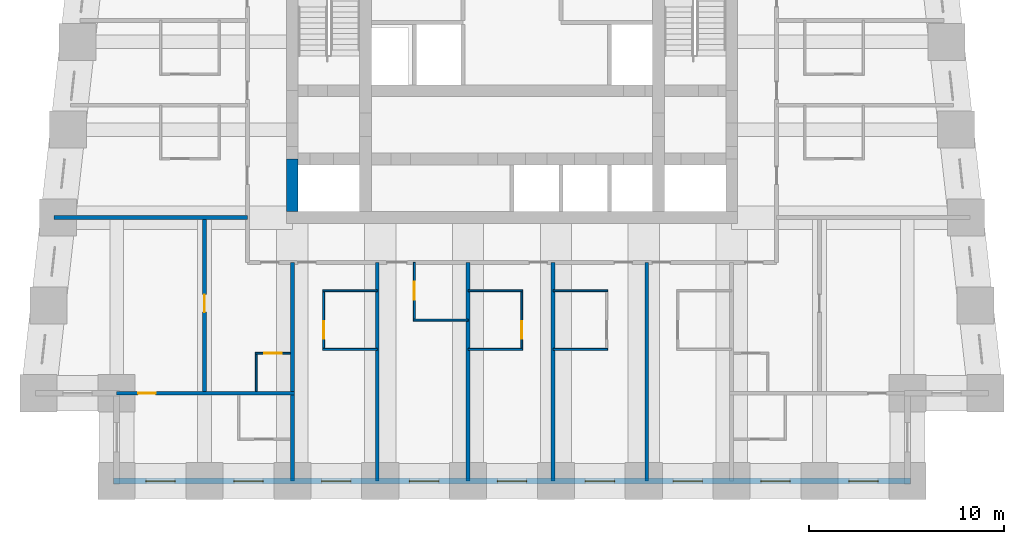
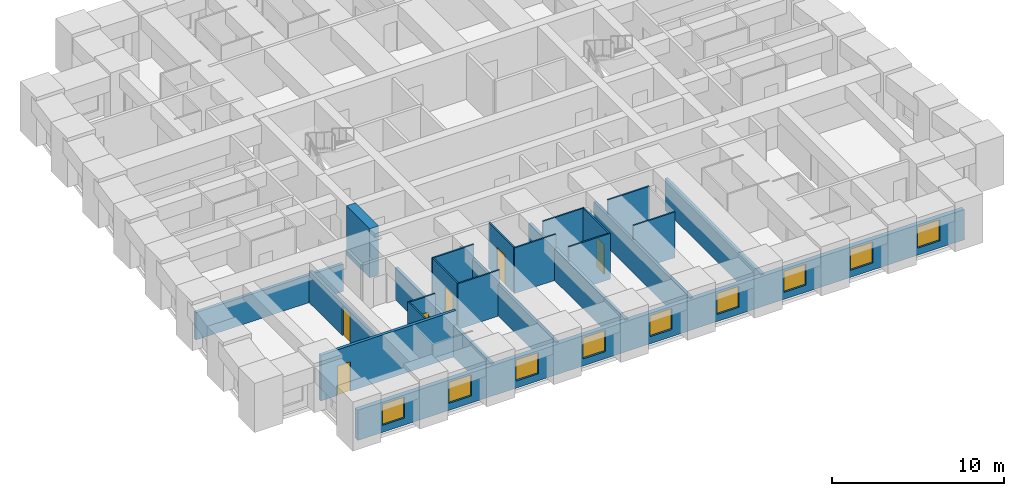
# One storey, part 2 of 8: 22 walls, 9 windows, 6 doors, 15 openings.
"""IFC4 building model written with IfcOpenShell, lengths in metres."""

from ifc_helpers import new_model, si_unit, direction, frame, frame_2d, origin, place, context, subcontext, project, spatial, rectangle, extrude, material, layer, layer_set, type_object, element, fill, save


model = new_model("IFC4")

# Units and contexts
model_context = context("Model", 3, precision=1e-05, world=origin(), true_north=direction((0.0, 1.0)))
body_context = subcontext(model_context, "Body", "Model", "MODEL_VIEW")
ifc_project = project(units=[si_unit("LENGTHUNIT", "METRE"), si_unit("AREAUNIT", "SQUARE_METRE"), si_unit("VOLUMEUNIT", "CUBIC_METRE"), si_unit("PLANEANGLEUNIT", "RADIAN"), si_unit("MASSUNIT", "GRAM", prefix="KILO")], contexts=[model_context])

# Site, building, storey
site_placement = place(None, origin())
site = spatial("IfcSite", under=ifc_project, at=site_placement, CompositionType="ELEMENT")
building_placement = place(site_placement, origin())
building = spatial("IfcBuilding", under=site, at=building_placement, Name="Kilele Tower Hotel", CompositionType="ELEMENT")
storey_placement = place(building_placement, frame((0.0, 0.0, 103.89990234375)))
storey = spatial("IfcBuildingStorey", under=building, at=storey_placement, Name="L26", CompositionType="ELEMENT", Elevation=103.89990234375)

# Walls
ifc_material_1 = material(Name="Moisture-resistant board")
ifc_layer_1 = layer(ifc_material_1, 0.10009765625)
ifc_layer_set_1 = layer_set([ifc_layer_1], Name="Moisture-resistant board")
wall_type_1 = type_object("IfcWallType", Name="Bathroom partition 100", PredefinedType="PLUMBINGWALL", material=ifc_layer_set_1)
for number, where, z_axis, x_axis, name in (
    (1, (15.050048828125, 9.75, 0.0), (0.0, 0.0, 1.0), (1.0, 0.0, 0.0), "Bathroom partition 100 L26"),
    (2, (15.050048828125, 6.75, 0.0), (0.0, 0.0, 1.0), (1.0, 0.0, 0.0), "Bathroom partition 100 L26"),
):
    element("IfcWall", number, at=place(storey_placement, frame(where, z_axis=z_axis, x_axis=x_axis)), inside=storey, type_object=wall_type_1, Name=name, PredefinedType="PLUMBINGWALL", context=body_context, shape_type="SweptSolid", body=[
        extrude(rectangle(XDim=2.800048828125, YDim=0.10009765625, at=frame_2d((1.39990234375, 0.0))), origin(), (0.0, 0.0, 1.0), 3.25),
    ])

# Wall, opening, door
wall_1_placement = place(storey_placement, frame((15.10009765625, 9.800048828125, 0.0), z_axis=(0.0, 0.0, 1.0), x_axis=(0.0, -1.0, 0.0)))
wall_1 = element("IfcWall", 3, at=wall_1_placement, inside=storey, type_object=wall_type_1, Name="Bathroom partition 100 L26", PredefinedType="PLUMBINGWALL", context=body_context, shape_type="SweptSolid", body=[
    extrude(rectangle(XDim=3.10009765625, YDim=0.10009765625, at=frame_2d((1.550048828125, 0.0))), origin(), (0.0, 0.0, 1.0), 3.25),
])
opening_1_placement = place(wall_1_placement, frame((2.5, 0.0, 0.0), z_axis=(0.0, 0.0, 1.0), x_axis=(-1.0, 0.0, 0.0)))
opening_1 = element("IfcOpeningElement", 4, at=opening_1_placement, cuts=wall_1, Name="Opening D2A", PredefinedType="OPENING", context=body_context, shape_type="SweptSolid", body=[
    extrude(rectangle(XDim=0.89990234375, YDim=2.10009765625, at=frame_2d((0.449951171875, 1.050048828125))), frame((0.0, 0.06005859375, 0.0), z_axis=(0.0, -1.0, 0.0), x_axis=(1.0, 0.0, 0.0)), (0.0, 0.0, 1.0), 0.1201171875),
])
ifc_material_2 = material(Name="Timber door leaf in hardwood frame", Category="wood")
door_type_1 = type_object("IfcDoorType", Name="Bathroom door 900", OperationType="SINGLE_SWING_LEFT", PredefinedType="DOOR", material=ifc_material_2)
door_1_placement = place(opening_1_placement, origin())
door_1 = element("IfcDoor", 5, at=door_1_placement, inside=storey, type_object=door_type_1, Name="Bathroom door 2601B", OperationType="SINGLE_SWING_LEFT", OverallHeight=2.10009765625, OverallWidth=0.89990234375, PredefinedType="DOOR", context=body_context, shape_type="SweptSolid", body=[
    extrude(rectangle(XDim=0.89990234375, YDim=2.10009765625, at=frame_2d((0.449951171875, 1.050048828125))), frame((0.0, 0.02490234375, 0.0), z_axis=(0.0, -1.0, 0.0), x_axis=(1.0, 0.0, 0.0)), (0.0, 0.0, 1.0), 0.050048828125),
])
fill(opening_1, door_1)

# Wall
wall_2_placement = place(storey_placement, frame((19.699951171875, 8.25, 0.0), z_axis=(0.0, 0.0, 1.0), x_axis=(1.0, 0.0, 0.0)))
element("IfcWall", 6, at=wall_2_placement, inside=storey, type_object=wall_type_1, Name="Bathroom partition 100 L26", PredefinedType="PLUMBINGWALL", context=body_context, shape_type="SweptSolid", body=[
    extrude(rectangle(XDim=2.800048828125, YDim=0.10009765625, at=frame_2d((1.39990234375, 0.0))), origin(), (0.0, 0.0, 1.0), 3.25),
])

# Wall, opening, door
wall_3_placement = place(storey_placement, frame((19.75, 11.199951171875, 0.0), z_axis=(0.0, 0.0, 1.0), x_axis=(0.0, -1.0, 0.0)))
wall_3 = element("IfcWall", 7, at=wall_3_placement, inside=storey, type_object=wall_type_1, Name="Bathroom partition 100 L26", PredefinedType="PLUMBINGWALL", context=body_context, shape_type="SweptSolid", body=[
    extrude(rectangle(XDim=3.0, YDim=0.10009765625, at=frame_2d((1.5, 0.0))), origin(), (0.0, 0.0, 1.0), 3.25),
])
opening_2_placement = place(wall_3_placement, frame((1.89990234375, 0.0, 0.0), z_axis=(0.0, 0.0, 1.0), x_axis=(-1.0, 0.0, 0.0)))
opening_2 = element("IfcOpeningElement", 8, at=opening_2_placement, cuts=wall_3, Name="Opening D2A", PredefinedType="OPENING", context=body_context, shape_type="SweptSolid", body=[
    extrude(rectangle(XDim=0.89990234375, YDim=2.10009765625, at=frame_2d((0.449951171875, 1.050048828125))), frame((0.0, 0.06005859375, 0.0), z_axis=(0.0, -1.0, 0.0), x_axis=(1.0, 0.0, 0.0)), (0.0, 0.0, 1.0), 0.1201171875),
])
door_2_placement = place(opening_2_placement, origin())
door_2 = element("IfcDoor", 9, at=door_2_placement, inside=storey, type_object=door_type_1, Name="Bathroom door 2602B", OperationType="SINGLE_SWING_RIGHT", OverallHeight=2.10009765625, OverallWidth=0.89990234375, PredefinedType="DOOR", context=body_context, shape_type="SweptSolid", body=[
    extrude(rectangle(XDim=0.89990234375, YDim=2.10009765625, at=frame_2d((0.449951171875, 1.050048828125))), frame((0.0, 0.02490234375, 0.0), z_axis=(0.0, -1.0, 0.0), x_axis=(1.0, 0.0, 0.0)), (0.0, 0.0, 1.0), 0.050048828125),
])
fill(opening_2, door_2)

# Walls
for number, where, z_axis, x_axis, name in (
    (10, (22.5, 9.75, 0.0), (0.0, 0.0, 1.0), (1.0, 0.0, 0.0), "Bathroom partition 100 L26"),
    (11, (22.5, 6.75, 0.0), (0.0, 0.0, 1.0), (1.0, 0.0, 0.0), "Bathroom partition 100 L26"),
):
    element("IfcWall", number, at=place(storey_placement, frame(where, z_axis=z_axis, x_axis=x_axis)), inside=storey, type_object=wall_type_1, Name=name, PredefinedType="PLUMBINGWALL", context=body_context, shape_type="SweptSolid", body=[
        extrude(rectangle(XDim=2.800048828125, YDim=0.10009765625, at=frame_2d((1.39990234375, 0.0))), origin(), (0.0, 0.0, 1.0), 3.25),
    ])

# Wall, opening, door
wall_4_placement = place(storey_placement, frame((25.25, 9.800048828125, 0.0), z_axis=(0.0, 0.0, 1.0), x_axis=(0.0, -1.0, 0.0)))
wall_4 = element("IfcWall", 12, at=wall_4_placement, inside=storey, type_object=wall_type_1, Name="Bathroom partition 100 L26", PredefinedType="PLUMBINGWALL", context=body_context, shape_type="SweptSolid", body=[
    extrude(rectangle(XDim=3.10009765625, YDim=0.10009765625, at=frame_2d((1.550048828125, 0.0))), origin(), (0.0, 0.0, 1.0), 3.25),
])
opening_3_placement = place(wall_4_placement, frame((1.60009765625, 0.0, 0.0)))
opening_3 = element("IfcOpeningElement", 13, at=opening_3_placement, cuts=wall_4, Name="Opening D2A", PredefinedType="OPENING", context=body_context, shape_type="SweptSolid", body=[
    extrude(rectangle(XDim=0.89990234375, YDim=2.10009765625, at=frame_2d((0.449951171875, 1.050048828125))), frame((0.0, 0.06005859375, 0.0), z_axis=(0.0, -1.0, 0.0), x_axis=(1.0, 0.0, 0.0)), (0.0, 0.0, 1.0), 0.1201171875),
])
door_3_placement = place(opening_3_placement, origin())
door_3 = element("IfcDoor", 14, at=door_3_placement, inside=storey, type_object=door_type_1, Name="Bathroom door 2603B", OperationType="SINGLE_SWING_RIGHT", OverallHeight=2.10009765625, OverallWidth=0.89990234375, PredefinedType="DOOR", context=body_context, shape_type="SweptSolid", body=[
    extrude(rectangle(XDim=0.89990234375, YDim=2.10009765625, at=frame_2d((0.449951171875, 1.050048828125))), frame((0.0, 0.02490234375, 0.0), z_axis=(0.0, -1.0, 0.0), x_axis=(1.0, 0.0, 0.0)), (0.0, 0.0, 1.0), 0.050048828125),
])
fill(opening_3, door_3)

# Walls
for number, where, z_axis, x_axis, name in (
    (15, (26.85009765625, 9.75, 0.0), (0.0, 0.0, 1.0), (1.0, 0.0, 0.0), "Bathroom partition 100 L26"),
    (16, (26.85009765625, 6.75, 0.0), (0.0, 0.0, 1.0), (1.0, 0.0, 0.0), "Bathroom partition 100 L26"),
):
    element("IfcWall", number, at=place(storey_placement, frame(where, z_axis=z_axis, x_axis=x_axis)), inside=storey, type_object=wall_type_1, Name=name, PredefinedType="PLUMBINGWALL", context=body_context, shape_type="SweptSolid", body=[
        extrude(rectangle(XDim=2.7998046875, YDim=0.10009765625, at=frame_2d((1.39990234375, 0.0))), origin(), (0.0, 0.0, 1.0), 3.25),
    ])
wall_5_placement = place(storey_placement, frame((11.64990234375, 4.60009765625, 0.0), z_axis=(0.0, 0.0, 1.0), x_axis=(0.0, 1.0, 0.0)))
element("IfcWall", 17, at=wall_5_placement, inside=storey, type_object=wall_type_1, Name="Bathroom partition 100 L26", PredefinedType="PLUMBINGWALL", context=body_context, shape_type="SweptSolid", body=[
    extrude(rectangle(XDim=2.0, YDim=0.10009765625, at=frame_2d((1.0, 0.0))), origin(), (0.0, 0.0, 1.0), 3.25),
])

# Wall, opening, door
wall_6_placement = place(storey_placement, frame((13.39990234375, 6.550048828125, 0.0), z_axis=(0.0, 0.0, 1.0), x_axis=(-1.0, 0.0, 0.0)))
wall_6 = element("IfcWall", 18, at=wall_6_placement, inside=storey, type_object=wall_type_1, Name="Bathroom partition 100 L26", PredefinedType="PLUMBINGWALL", context=body_context, shape_type="SweptSolid", body=[
    extrude(rectangle(XDim=1.7998046875, YDim=0.10009765625, at=frame_2d((0.89990234375, 0.0))), origin(), (0.0, 0.0, 1.0), 3.25),
])
opening_4_placement = place(wall_6_placement, frame((1.349853515625, 0.0, 0.0), z_axis=(0.0, 0.0, 1.0), x_axis=(-1.0, 0.0, 0.0)))
opening_4 = element("IfcOpeningElement", 19, at=opening_4_placement, cuts=wall_6, Name="Opening D2A", PredefinedType="OPENING", context=body_context, shape_type="SweptSolid", body=[
    extrude(rectangle(XDim=0.89990234375, YDim=2.10009765625, at=frame_2d((0.449951171875, 1.050048828125))), frame((0.0, 0.06005859375, 0.0), z_axis=(0.0, -1.0, 0.0), x_axis=(1.0, 0.0, 0.0)), (0.0, 0.0, 1.0), 0.1201171875),
])
door_4_placement = place(opening_4_placement, origin())
door_4 = element("IfcDoor", 20, at=door_4_placement, inside=storey, type_object=door_type_1, Name="Bathroom door 2617P", OperationType="SINGLE_SWING_RIGHT", OverallHeight=2.10009765625, OverallWidth=0.89990234375, PredefinedType="DOOR", context=body_context, shape_type="SweptSolid", body=[
    extrude(rectangle(XDim=0.89990234375, YDim=2.10009765625, at=frame_2d((0.449951171875, 1.050048828125))), frame((0.0, 0.02490234375, 0.0), z_axis=(0.0, -1.0, 0.0), x_axis=(1.0, 0.0, 0.0)), (0.0, 0.0, 1.0), 0.050048828125),
])
fill(opening_4, door_4)

# Wall
ifc_material_3 = material(Name="Concrete C60/75", Category="concrete")
ifc_layer_2 = layer(ifc_material_3, 0.60009765625)
ifc_layer_set_2 = layer_set([ifc_layer_2], Name="Concrete C60/75")
wall_type_2 = type_object("IfcWallType", Name="Core wall 600 C60/75", PredefinedType="SHEAR", material=ifc_layer_set_2)
wall_7_placement = place(storey_placement, frame((13.5, 16.5, 0.0), z_axis=(0.0, 0.0, 1.0), x_axis=(0.0, -1.0, 0.0)))
element("IfcWall", 21, at=wall_7_placement, inside=storey, type_object=wall_type_2, Name="Core wall W3 L26", PredefinedType="SHEAR", context=body_context, shape_type="SweptSolid", body=[
    extrude(rectangle(XDim=2.699951171875, YDim=0.60009765625, at=frame_2d((1.35009765625, 0.0))), origin(), (0.0, 0.0, 1.0), 3.5),
])

# Wall, opening, door
ifc_material_4 = material(Name="Blockwork, plastered both sides", Category="masonry")
ifc_layer_3 = layer(ifc_material_4, 0.199951171875)
ifc_layer_set_3 = layer_set([ifc_layer_3], Name="Blockwork, plastered both sides")
wall_type_3 = type_object("IfcWallType", Name="Partition wall 200", PredefinedType="PARTITIONING", material=ifc_layer_set_3)
wall_8_placement = place(storey_placement, frame((9.0, 4.60009765625, 0.0), z_axis=(0.0, 0.0, 1.0), x_axis=(0.0, 1.0, 0.0)))
wall_8 = element("IfcWall", 22, at=wall_8_placement, inside=storey, type_object=wall_type_3, Name="Partition wall 200 L26", PredefinedType="PARTITIONING", context=body_context, shape_type="SweptSolid", body=[
    extrude(rectangle(XDim=8.7998046875, YDim=0.199951171875, at=frame_2d((4.39990234375, 0.0))), origin(), (0.0, 0.0, 1.0), 2.25),
])
opening_5_placement = place(wall_8_placement, frame((4.050048828125, 0.0, 0.0)))
opening_5 = element("IfcOpeningElement", 23, at=opening_5_placement, cuts=wall_8, Name="Opening D3", PredefinedType="OPENING", context=body_context, shape_type="SweptSolid", body=[
    extrude(rectangle(XDim=0.89990234375, YDim=2.10009765625, at=frame_2d((0.449951171875, 1.050048828125))), frame((0.0, 0.10986328125, 0.0), z_axis=(0.0, -1.0, 0.0), x_axis=(1.0, 0.0, 0.0)), (0.0, 0.0, 1.0), 0.219970703125),
])
ifc_material_5 = material(Name="Timber door leaf in hardwood frame", Category="wood")
door_type_2 = type_object("IfcDoorType", Name="Suite internal door 900", OperationType="SINGLE_SWING_LEFT", PredefinedType="DOOR", material=ifc_material_5)
door_5_placement = place(opening_5_placement, origin())
door_5 = element("IfcDoor", 24, at=door_5_placement, inside=storey, type_object=door_type_2, Name="Suite door 2618", OperationType="SINGLE_SWING_RIGHT", OverallHeight=2.10009765625, OverallWidth=0.89990234375, PredefinedType="DOOR", context=body_context, shape_type="SweptSolid", body=[
    extrude(rectangle(XDim=0.89990234375, YDim=2.10009765625, at=frame_2d((0.449951171875, 1.050048828125))), frame((0.0, 0.02490234375, 0.0), z_axis=(0.0, -1.0, 0.0), x_axis=(1.0, 0.0, 0.0)), (0.0, 0.0, 1.0), 0.050048828125),
])
fill(opening_5, door_5)

# Walls
ifc_material_6 = material(Name="Blockwork, plastered both sides", Category="masonry")
ifc_layer_4 = layer(ifc_material_6, 0.199951171875)
ifc_layer_set_4 = layer_set([ifc_layer_4], Name="Blockwork, plastered both sides")
wall_type_4 = type_object("IfcWallType", Name="Party wall 200", PredefinedType="PARTITIONING", material=ifc_layer_set_4)
for number, where, z_axis, x_axis, name in (
    (25, (17.85009765625, 11.199951171875, 0.0), (0.0, 0.0, 1.0), (0.0, -1.0, 0.0), "Party wall 200 L26"),
    (26, (22.5, 11.199951171875, 0.0), (0.0, 0.0, 1.0), (0.0, -1.0, 0.0), "Party wall 200 L26"),
    (27, (26.85009765625, 11.199951171875, 0.0), (0.0, 0.0, 1.0), (0.0, -1.0, 0.0), "Party wall 200 L26"),
    (28, (31.64990234375, 11.199951171875, 0.0), (0.0, 0.0, 1.0), (0.0, -1.0, 0.0), "Party wall 200 L26"),
):
    element("IfcWall", number, at=place(storey_placement, frame(where, z_axis=z_axis, x_axis=x_axis)), inside=storey, type_object=wall_type_4, Name=name, PredefinedType="PARTITIONING", context=body_context, shape_type="SweptSolid", body=[
        extrude(rectangle(XDim=11.199951171875, YDim=0.199951171875, at=frame_2d((5.60009765625, 0.0))), origin(), (0.0, 0.0, 1.0), 2.25),
    ])
wall_9_placement = place(storey_placement, frame((11.199951171875, 13.5, 0.0), z_axis=(0.0, 0.0, 1.0), x_axis=(-1.0, 0.0, 0.0)))
element("IfcWall", 29, at=wall_9_placement, inside=storey, type_object=wall_type_4, Name="Party wall 200 L26", PredefinedType="PARTITIONING", context=body_context, shape_type="SweptSolid", body=[
    extrude(rectangle(XDim=9.921142578125, YDim=0.199951171875, at=frame_2d((4.96044921875, 0.0))), origin(), (0.0, 0.0, 1.0), 1.9501953125),
])
wall_10_placement = place(storey_placement, frame((13.5, 11.199951171875, 0.0), z_axis=(0.0, 0.0, 1.0), x_axis=(0.0, -1.0, 0.0)))
element("IfcWall", 30, at=wall_10_placement, inside=storey, type_object=wall_type_4, Name="Party wall 200 L26", PredefinedType="PARTITIONING", context=body_context, shape_type="SweptSolid", body=[
    extrude(rectangle(XDim=11.199951171875, YDim=0.199951171875, at=frame_2d((5.60009765625, 0.0))), origin(), (0.0, 0.0, 1.0), 2.25),
])

# Wall, opening, door
wall_11_placement = place(storey_placement, frame((13.60009765625, 4.5, 0.0), z_axis=(0.0, 0.0, 1.0), x_axis=(-1.0, 0.0, 0.0)))
wall_11 = element("IfcWall", 31, at=wall_11_placement, inside=storey, type_object=wall_type_4, Name="Party wall 200 L26", PredefinedType="PARTITIONING", context=body_context, shape_type="SweptSolid", body=[
    extrude(rectangle(XDim=9.10009765625, YDim=0.199951171875, at=frame_2d((4.550048828125, 0.0))), origin(), (0.0, 0.0, 1.0), 3.25),
])
opening_6_placement = place(wall_11_placement, frame((7.10009765625, 0.0, 0.0)))
opening_6 = element("IfcOpeningElement", 32, at=opening_6_placement, cuts=wall_11, Name="Opening D3", PredefinedType="OPENING", context=body_context, shape_type="SweptSolid", body=[
    extrude(rectangle(XDim=0.89990234375, YDim=2.10009765625, at=frame_2d((0.449951171875, 1.050048828125))), frame((0.0, 0.10986328125, 0.0), z_axis=(0.0, -1.0, 0.0), x_axis=(1.0, 0.0, 0.0)), (0.0, 0.0, 1.0), 0.219970703125),
])
door_6_placement = place(opening_6_placement, origin())
door_6 = element("IfcDoor", 33, at=door_6_placement, inside=storey, type_object=door_type_2, Name="Suite door 2619", OperationType="SINGLE_SWING_RIGHT", OverallHeight=2.10009765625, OverallWidth=0.89990234375, PredefinedType="DOOR", context=body_context, shape_type="SweptSolid", body=[
    extrude(rectangle(XDim=0.89990234375, YDim=2.10009765625, at=frame_2d((0.449951171875, 1.050048828125))), frame((0.0, 0.02490234375, 0.0), z_axis=(0.0, -1.0, 0.0), x_axis=(1.0, 0.0, 0.0)), (0.0, 0.0, 1.0), 0.050048828125),
])
fill(opening_6, door_6)

# Wall, openings, windows
ifc_material_7 = material(Name="Concrete C40/50 precast", Category="concrete")
ifc_layer_5 = layer(ifc_material_7, 0.260009765625, Name="Precast backing", Category="LoadBearing")
ifc_material_8 = material(Name="Reconstituted stone finish", Category="masonry")
ifc_layer_6 = layer(ifc_material_8, 0.0400390625, Name="Face mix", Category="Finish")
ifc_layer_set_5 = layer_set([ifc_layer_5, ifc_layer_6], Name="Precast concrete C40/50, reconstituted stone finish")
wall_type_5 = type_object("IfcWallType", Name="Precast stone facade wall 300", PredefinedType="STANDARD", material=ifc_layer_set_5)
wall_12_placement = place(storey_placement, frame((4.35009765625, 0.0, 0.0), z_axis=(0.0, 0.0, 1.0), x_axis=(1.0, 0.0, 0.0)))
wall_12 = element("IfcWall", 34, at=wall_12_placement, inside=storey, type_object=wall_type_5, Name="Facade wall L26 edge 3", PredefinedType="STANDARD", context=body_context, shape_type="SweptSolid", body=[
    extrude(rectangle(XDim=40.7998046875, YDim=0.300048828125, at=frame_2d((20.39990234375, 0.0))), origin(), (0.0, 0.0, 1.0), 2.150146484375),
])
opening_7_placement = place(wall_12_placement, frame((1.64990234375, 0.0, 0.5)))
opening_7 = element("IfcOpeningElement", 35, at=opening_7_placement, cuts=wall_12, Name="Opening W2", PredefinedType="OPENING", context=body_context, shape_type="SweptSolid", body=[
    extrude(rectangle(XDim=1.5, YDim=1.5, at=frame_2d((0.75, 0.75))), frame((0.0, 0.159912109375, 0.0), z_axis=(0.0, -1.0, 0.0), x_axis=(1.0, 0.0, 0.0)), (0.0, 0.0, 1.0), 0.320068359375),
])
opening_8_placement = place(wall_12_placement, frame((6.14990234375, 0.0, 0.5)))
opening_8 = element("IfcOpeningElement", 36, at=opening_8_placement, cuts=wall_12, Name="Opening W2", PredefinedType="OPENING", context=body_context, shape_type="SweptSolid", body=[
    extrude(rectangle(XDim=1.5, YDim=1.5, at=frame_2d((0.75, 0.75))), frame((0.0, 0.159912109375, 0.0), z_axis=(0.0, -1.0, 0.0), x_axis=(1.0, 0.0, 0.0)), (0.0, 0.0, 1.0), 0.320068359375),
])
opening_9_placement = place(wall_12_placement, frame((10.64990234375, 0.0, 0.5)))
opening_9 = element("IfcOpeningElement", 37, at=opening_9_placement, cuts=wall_12, Name="Opening W2", PredefinedType="OPENING", context=body_context, shape_type="SweptSolid", body=[
    extrude(rectangle(XDim=1.5, YDim=1.5, at=frame_2d((0.75, 0.75))), frame((0.0, 0.159912109375, 0.0), z_axis=(0.0, -1.0, 0.0), x_axis=(1.0, 0.0, 0.0)), (0.0, 0.0, 1.0), 0.320068359375),
])
opening_10_placement = place(wall_12_placement, frame((15.14990234375, 0.0, 0.5)))
opening_10 = element("IfcOpeningElement", 38, at=opening_10_placement, cuts=wall_12, Name="Opening W2", PredefinedType="OPENING", context=body_context, shape_type="SweptSolid", body=[
    extrude(rectangle(XDim=1.5, YDim=1.5, at=frame_2d((0.75, 0.75))), frame((0.0, 0.159912109375, 0.0), z_axis=(0.0, -1.0, 0.0), x_axis=(1.0, 0.0, 0.0)), (0.0, 0.0, 1.0), 0.320068359375),
])
opening_11_placement = place(wall_12_placement, frame((19.64990234375, 0.0, 0.5)))
opening_11 = element("IfcOpeningElement", 39, at=opening_11_placement, cuts=wall_12, Name="Opening W2", PredefinedType="OPENING", context=body_context, shape_type="SweptSolid", body=[
    extrude(rectangle(XDim=1.5, YDim=1.5, at=frame_2d((0.75, 0.75))), frame((0.0, 0.159912109375, 0.0), z_axis=(0.0, -1.0, 0.0), x_axis=(1.0, 0.0, 0.0)), (0.0, 0.0, 1.0), 0.320068359375),
])
opening_12_placement = place(wall_12_placement, frame((24.14990234375, 0.0, 0.5)))
opening_12 = element("IfcOpeningElement", 40, at=opening_12_placement, cuts=wall_12, Name="Opening W2", PredefinedType="OPENING", context=body_context, shape_type="SweptSolid", body=[
    extrude(rectangle(XDim=1.5, YDim=1.5, at=frame_2d((0.75, 0.75))), frame((0.0, 0.159912109375, 0.0), z_axis=(0.0, -1.0, 0.0), x_axis=(1.0, 0.0, 0.0)), (0.0, 0.0, 1.0), 0.320068359375),
])
opening_13_placement = place(wall_12_placement, frame((28.64990234375, 0.0, 0.5)))
opening_13 = element("IfcOpeningElement", 41, at=opening_13_placement, cuts=wall_12, Name="Opening W2", PredefinedType="OPENING", context=body_context, shape_type="SweptSolid", body=[
    extrude(rectangle(XDim=1.5, YDim=1.5, at=frame_2d((0.75, 0.75))), frame((0.0, 0.159912109375, 0.0), z_axis=(0.0, -1.0, 0.0), x_axis=(1.0, 0.0, 0.0)), (0.0, 0.0, 1.0), 0.320068359375),
])
opening_14_placement = place(wall_12_placement, frame((33.14990234375, 0.0, 0.5)))
opening_14 = element("IfcOpeningElement", 42, at=opening_14_placement, cuts=wall_12, Name="Opening W2", PredefinedType="OPENING", context=body_context, shape_type="SweptSolid", body=[
    extrude(rectangle(XDim=1.5, YDim=1.5, at=frame_2d((0.75, 0.75))), frame((0.0, 0.159912109375, 0.0), z_axis=(0.0, -1.0, 0.0), x_axis=(1.0, 0.0, 0.0)), (0.0, 0.0, 1.0), 0.320068359375),
])
opening_15_placement = place(wall_12_placement, frame((37.64990234375, 0.0, 0.5)))
opening_15 = element("IfcOpeningElement", 43, at=opening_15_placement, cuts=wall_12, Name="Opening W2", PredefinedType="OPENING", context=body_context, shape_type="SweptSolid", body=[
    extrude(rectangle(XDim=1.5, YDim=1.5, at=frame_2d((0.75, 0.75))), frame((0.0, 0.159912109375, 0.0), z_axis=(0.0, -1.0, 0.0), x_axis=(1.0, 0.0, 0.0)), (0.0, 0.0, 1.0), 0.320068359375),
])
ifc_material_9 = material(Name="Aluminium frame, clear double glazing", Category="aluminium")
window_type = type_object("IfcWindowType", Name="Window W2 1500 x 1500", PartitioningType="SINGLE_PANEL", PredefinedType="WINDOW", material=ifc_material_9)
window_1_placement = place(opening_7_placement, origin())
window_1 = element("IfcWindow", 44, at=window_1_placement, inside=storey, type_object=window_type, Name="Window L26", OverallHeight=1.5, OverallWidth=1.5, PartitioningType="SINGLE_PANEL", PredefinedType="WINDOW", context=body_context, shape_type="SweptSolid", body=[
    extrude(rectangle(XDim=1.5, YDim=1.5, at=frame_2d((0.75, 0.75))), frame((0.0, 0.030029296875, 0.0), z_axis=(0.0, -1.0, 0.0), x_axis=(1.0, 0.0, 0.0)), (0.0, 0.0, 1.0), 0.06005859375),
])
fill(opening_7, window_1)
window_2_placement = place(opening_8_placement, origin())
window_2 = element("IfcWindow", 45, at=window_2_placement, inside=storey, type_object=window_type, Name="Window L26", OverallHeight=1.5, OverallWidth=1.5, PartitioningType="SINGLE_PANEL", PredefinedType="WINDOW", context=body_context, shape_type="SweptSolid", body=[
    extrude(rectangle(XDim=1.5, YDim=1.5, at=frame_2d((0.75, 0.75))), frame((0.0, 0.030029296875, 0.0), z_axis=(0.0, -1.0, 0.0), x_axis=(1.0, 0.0, 0.0)), (0.0, 0.0, 1.0), 0.06005859375),
])
fill(opening_8, window_2)
window_3_placement = place(opening_9_placement, origin())
window_3 = element("IfcWindow", 46, at=window_3_placement, inside=storey, type_object=window_type, Name="Window L26", OverallHeight=1.5, OverallWidth=1.5, PartitioningType="SINGLE_PANEL", PredefinedType="WINDOW", context=body_context, shape_type="SweptSolid", body=[
    extrude(rectangle(XDim=1.5, YDim=1.5, at=frame_2d((0.75, 0.75))), frame((0.0, 0.030029296875, 0.0), z_axis=(0.0, -1.0, 0.0), x_axis=(1.0, 0.0, 0.0)), (0.0, 0.0, 1.0), 0.06005859375),
])
fill(opening_9, window_3)
window_4_placement = place(opening_10_placement, origin())
window_4 = element("IfcWindow", 47, at=window_4_placement, inside=storey, type_object=window_type, Name="Window L26", OverallHeight=1.5, OverallWidth=1.5, PartitioningType="SINGLE_PANEL", PredefinedType="WINDOW", context=body_context, shape_type="SweptSolid", body=[
    extrude(rectangle(XDim=1.5, YDim=1.5, at=frame_2d((0.75, 0.75))), frame((0.0, 0.030029296875, 0.0), z_axis=(0.0, -1.0, 0.0), x_axis=(1.0, 0.0, 0.0)), (0.0, 0.0, 1.0), 0.06005859375),
])
fill(opening_10, window_4)
window_5_placement = place(opening_11_placement, origin())
window_5 = element("IfcWindow", 48, at=window_5_placement, inside=storey, type_object=window_type, Name="Window L26", OverallHeight=1.5, OverallWidth=1.5, PartitioningType="SINGLE_PANEL", PredefinedType="WINDOW", context=body_context, shape_type="SweptSolid", body=[
    extrude(rectangle(XDim=1.5, YDim=1.5, at=frame_2d((0.75, 0.75))), frame((0.0, 0.030029296875, 0.0), z_axis=(0.0, -1.0, 0.0), x_axis=(1.0, 0.0, 0.0)), (0.0, 0.0, 1.0), 0.06005859375),
])
fill(opening_11, window_5)
window_6_placement = place(opening_12_placement, origin())
window_6 = element("IfcWindow", 49, at=window_6_placement, inside=storey, type_object=window_type, Name="Window L26", OverallHeight=1.5, OverallWidth=1.5, PartitioningType="SINGLE_PANEL", PredefinedType="WINDOW", context=body_context, shape_type="SweptSolid", body=[
    extrude(rectangle(XDim=1.5, YDim=1.5, at=frame_2d((0.75, 0.75))), frame((0.0, 0.030029296875, 0.0), z_axis=(0.0, -1.0, 0.0), x_axis=(1.0, 0.0, 0.0)), (0.0, 0.0, 1.0), 0.06005859375),
])
fill(opening_12, window_6)
window_7_placement = place(opening_13_placement, origin())
window_7 = element("IfcWindow", 50, at=window_7_placement, inside=storey, type_object=window_type, Name="Window L26", OverallHeight=1.5, OverallWidth=1.5, PartitioningType="SINGLE_PANEL", PredefinedType="WINDOW", context=body_context, shape_type="SweptSolid", body=[
    extrude(rectangle(XDim=1.5, YDim=1.5, at=frame_2d((0.75, 0.75))), frame((0.0, 0.030029296875, 0.0), z_axis=(0.0, -1.0, 0.0), x_axis=(1.0, 0.0, 0.0)), (0.0, 0.0, 1.0), 0.06005859375),
])
fill(opening_13, window_7)
window_8_placement = place(opening_14_placement, origin())
window_8 = element("IfcWindow", 51, at=window_8_placement, inside=storey, type_object=window_type, Name="Window L26", OverallHeight=1.5, OverallWidth=1.5, PartitioningType="SINGLE_PANEL", PredefinedType="WINDOW", context=body_context, shape_type="SweptSolid", body=[
    extrude(rectangle(XDim=1.5, YDim=1.5, at=frame_2d((0.75, 0.75))), frame((0.0, 0.030029296875, 0.0), z_axis=(0.0, -1.0, 0.0), x_axis=(1.0, 0.0, 0.0)), (0.0, 0.0, 1.0), 0.06005859375),
])
fill(opening_14, window_8)
window_9_placement = place(opening_15_placement, origin())
window_9 = element("IfcWindow", 52, at=window_9_placement, inside=storey, type_object=window_type, Name="Window L26", OverallHeight=1.5, OverallWidth=1.5, PartitioningType="SINGLE_PANEL", PredefinedType="WINDOW", context=body_context, shape_type="SweptSolid", body=[
    extrude(rectangle(XDim=1.5, YDim=1.5, at=frame_2d((0.75, 0.75))), frame((0.0, 0.030029296875, 0.0), z_axis=(0.0, -1.0, 0.0), x_axis=(1.0, 0.0, 0.0)), (0.0, 0.0, 1.0), 0.06005859375),
])
fill(opening_15, window_9)

save(model, "model.ifc")
